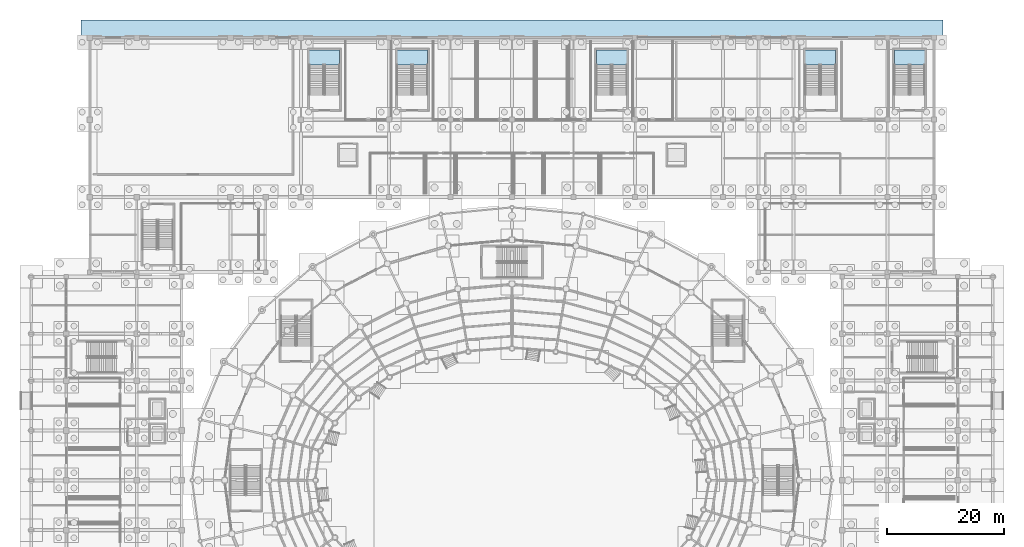
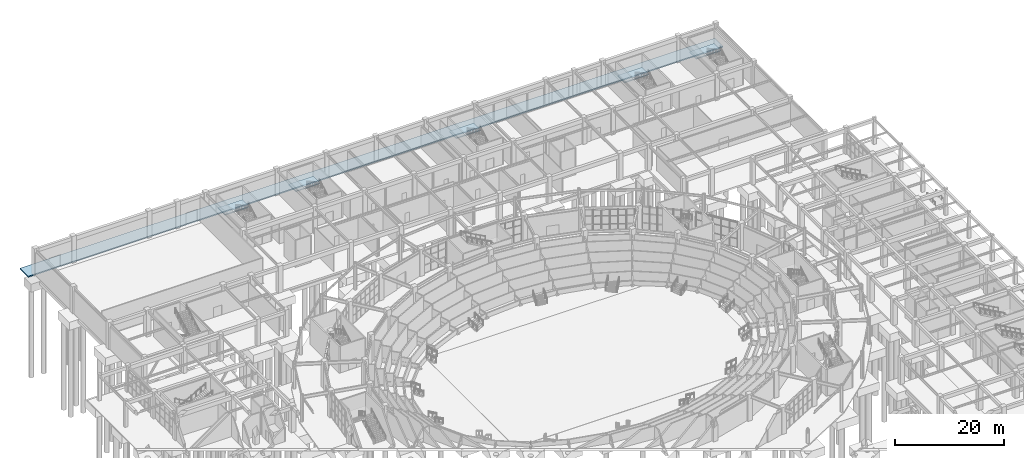
# One storey, part 77 of 121: 6 slabs, 5 elements without a shape of their own.
"""IFC4 building model written with IfcOpenShell, lengths in metres."""

from ifc_helpers import new_model, si_unit, direction, frame, origin, place, context, subcontext, project, spatial, polyline, outline, extrude, material, layer, layer_set, type_object, element, aggregate, save


model = new_model("IFC4")

# Units and contexts
model_context = context("Model", 3, precision=1e-05, world=origin(), true_north=direction((0.0, 1.0)))
body_context = subcontext(model_context, "Body", "Model", "MODEL_VIEW")
ifc_project = project(units=[si_unit("LENGTHUNIT", "METRE"), si_unit("AREAUNIT", "SQUARE_METRE"), si_unit("VOLUMEUNIT", "CUBIC_METRE"), si_unit("PLANEANGLEUNIT", "RADIAN"), si_unit("MASSUNIT", "GRAM", prefix="KILO")], contexts=[model_context])

# Site, building, storey
site_placement = place(None, origin())
site = spatial("IfcSite", under=ifc_project, at=site_placement, CompositionType="ELEMENT")
building_placement = place(site_placement, origin())
building = spatial("IfcBuilding", under=site, at=building_placement, Name="Cuetzalor Civic Arena", CompositionType="ELEMENT")
storey_placement = place(building_placement, origin())
storey = spatial("IfcBuildingStorey", under=building, at=storey_placement, Name="L00", CompositionType="ELEMENT", Elevation=0.0)

# Slab
ifc_material_1 = material(Name="Concrete C35/45", Category="concrete")
ifc_layer_1 = layer(ifc_material_1, 0.260009765625)
ifc_layer_set_1 = layer_set([ifc_layer_1], Name="Concrete C35/45")
slab_type_1 = type_object("IfcSlabType", Name="ExteriorPlazaSlab_240", PredefinedType="BASESLAB", material=ifc_layer_set_1)
slab_1_placement = place(storey_placement, frame((0.0, 0.0, -0.260009765625)))
element("IfcSlab", 1, at=slab_1_placement, inside=storey, type_object=slab_type_1, Name="Exterior North Loading Apron and Exit Plaza Paving", PredefinedType="BASESLAB", context=body_context, shape_type="SweptSolid", body=[
    extrude(outline(polyline([(-73.5, 75.5), (73.5, 75.5), (73.5, 78.5), (-73.5, 78.5), (-73.5, 75.5)])), origin(), (0.0, 0.0, 1.0), 0.260009765625),
])

# Stair, slab
ifc_material_2 = material(Name="Precast concrete C40/50", Category="concrete")
stair_type = type_object("IfcStairType", Name="EnclosedExitStair_H600", PredefinedType="HALF_TURN_STAIR", material=ifc_material_2)
stair_1_placement = place(storey_placement, origin())
stair_1 = element("IfcStair", 2, at=stair_1_placement, inside=storey, type_object=stair_type, Name="L00 Enclosed Exit Stair ST-24", PredefinedType="HALF_TURN_STAIR")
ifc_material_3 = material(Name="Concrete C40/50", Category="concrete")
ifc_layer_2 = layer(ifc_material_3, 0.199951171875)
ifc_layer_set_2 = layer_set([ifc_layer_2], Name="Concrete C40/50")
slab_type_2 = type_object("IfcSlabType", Name="StairHalfLandingSlab_200", PredefinedType="LANDING", material=ifc_layer_set_2)
slab_2_placement = place(storey_placement, frame((0.0, 0.0, 2.800048828125)))
slab_2 = element("IfcSlab", 3, at=slab_2_placement, type_object=slab_type_2, Name="ST-24 landing 1", PredefinedType="LANDING", context=body_context, shape_type="SweptSolid", body=[
    extrude(outline(polyline([(-29.39990234375, 70.837890625), (-29.39990234375, 73.39990234375), (-34.60009765625, 73.39990234375), (-34.60009765625, 70.837890625), (-29.39990234375, 70.837890625)])), origin(), (0.0, 0.0, 1.0), 0.199951171875),
])
aggregate(stair_1, [slab_2])

stair_2_placement = place(storey_placement, origin())
stair_2 = element("IfcStair", 4, at=stair_2_placement, inside=storey, type_object=stair_type, Name="L00 Enclosed Exit Stair ST-25", PredefinedType="HALF_TURN_STAIR")
slab_3_placement = place(storey_placement, frame((0.0, 0.0, 2.800048828125)))
slab_3 = element("IfcSlab", 5, at=slab_3_placement, type_object=slab_type_2, Name="ST-25 landing 1", PredefinedType="LANDING", context=body_context, shape_type="SweptSolid", body=[
    extrude(outline(polyline([(-14.39990234375, 70.837890625), (-14.39990234375, 73.39990234375), (-19.60009765625, 73.39990234375), (-19.60009765625, 70.837890625), (-14.39990234375, 70.837890625)])), origin(), (0.0, 0.0, 1.0), 0.199951171875),
])
aggregate(stair_2, [slab_3])

stair_3_placement = place(storey_placement, origin())
stair_3 = element("IfcStair", 6, at=stair_3_placement, inside=storey, type_object=stair_type, Name="L00 Enclosed Exit Stair ST-26", PredefinedType="HALF_TURN_STAIR")
slab_4_placement = place(storey_placement, frame((0.0, 0.0, 2.800048828125)))
slab_4 = element("IfcSlab", 7, at=slab_4_placement, type_object=slab_type_2, Name="ST-26 landing 1", PredefinedType="LANDING", context=body_context, shape_type="SweptSolid", body=[
    extrude(outline(polyline([(19.60009765625, 70.837890625), (19.60009765625, 73.39990234375), (14.39990234375, 73.39990234375), (14.39990234375, 70.837890625), (19.60009765625, 70.837890625)])), origin(), (0.0, 0.0, 1.0), 0.199951171875),
])
aggregate(stair_3, [slab_4])

stair_4_placement = place(storey_placement, origin())
stair_4 = element("IfcStair", 8, at=stair_4_placement, inside=storey, type_object=stair_type, Name="L00 Enclosed Exit Stair ST-27", PredefinedType="HALF_TURN_STAIR")
slab_5_placement = place(storey_placement, frame((0.0, 0.0, 2.800048828125)))
slab_5 = element("IfcSlab", 9, at=slab_5_placement, type_object=slab_type_2, Name="ST-27 landing 1", PredefinedType="LANDING", context=body_context, shape_type="SweptSolid", body=[
    extrude(outline(polyline([(55.199951171875, 70.837890625), (55.199951171875, 73.39990234375), (50.0, 73.39990234375), (50.0, 70.837890625), (55.199951171875, 70.837890625)])), origin(), (0.0, 0.0, 1.0), 0.199951171875),
])
aggregate(stair_4, [slab_5])

stair_5_placement = place(storey_placement, origin())
stair_5 = element("IfcStair", 10, at=stair_5_placement, inside=storey, type_object=stair_type, Name="L00 Enclosed Exit Stair ST-28", PredefinedType="HALF_TURN_STAIR")
slab_6_placement = place(storey_placement, frame((0.0, 0.0, 2.800048828125)))
slab_6 = element("IfcSlab", 11, at=slab_6_placement, type_object=slab_type_2, Name="ST-28 landing 1", PredefinedType="LANDING", context=body_context, shape_type="SweptSolid", body=[
    extrude(outline(polyline([(70.39990234375, 70.837890625), (70.39990234375, 73.39990234375), (65.199951171875, 73.39990234375), (65.199951171875, 70.837890625), (70.39990234375, 70.837890625)])), origin(), (0.0, 0.0, 1.0), 0.199951171875),
])
aggregate(stair_5, [slab_6])

save(model, "model.ifc")
